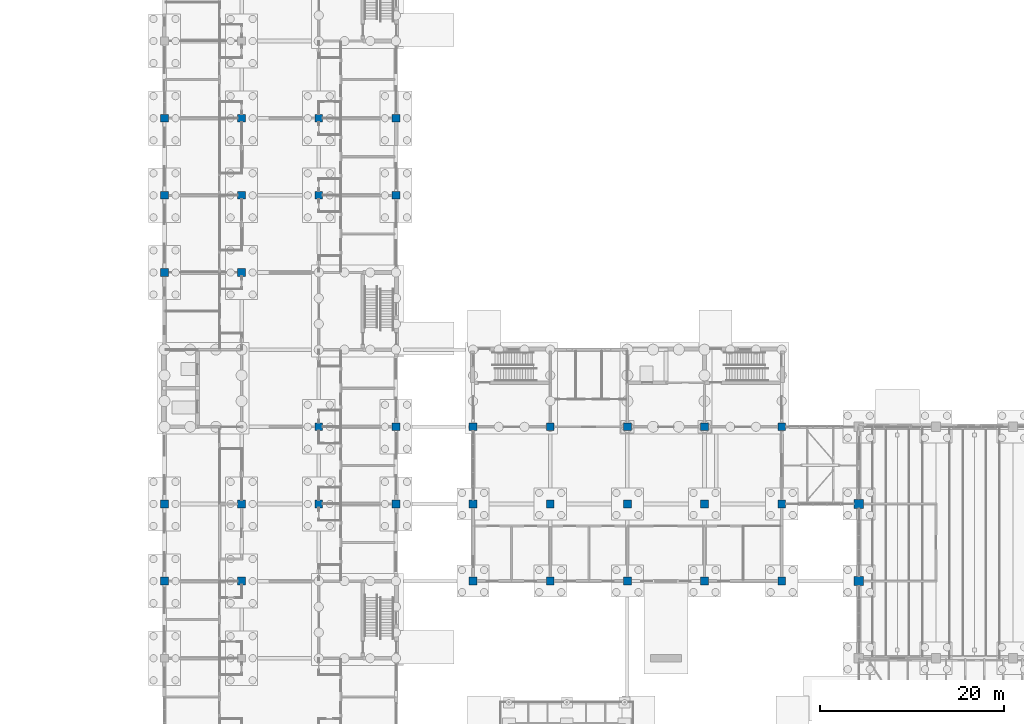
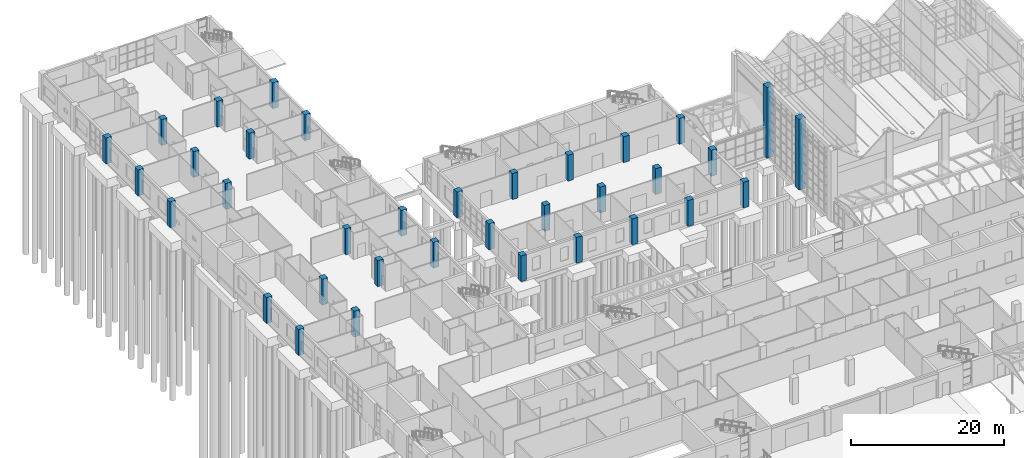
# One storey, part 15 of 138: 35 columns.
"""IFC4 building model written with IfcOpenShell, lengths in metres."""

from ifc_helpers import new_model, si_unit, direction, frame, origin, origin_2d, place, context, subcontext, project, spatial, rectangle, extrude, material, material_profile, profile_set, type_object, element, save


model = new_model("IFC4")

# Units and contexts
model_context = context("Model", 3, precision=1e-05, world=origin(), true_north=direction((0.0, 1.0)))
body_context = subcontext(model_context, "Body", "Model", "MODEL_VIEW")
ifc_project = project(units=[si_unit("LENGTHUNIT", "METRE"), si_unit("AREAUNIT", "SQUARE_METRE"), si_unit("VOLUMEUNIT", "CUBIC_METRE"), si_unit("PLANEANGLEUNIT", "RADIAN"), si_unit("MASSUNIT", "GRAM", prefix="KILO")], contexts=[model_context])

# Site, building, storey
site_placement = place(None, origin())
site = spatial("IfcSite", under=ifc_project, at=site_placement, CompositionType="ELEMENT")
building_placement = place(site_placement, origin())
building = spatial("IfcBuilding", under=site, at=building_placement, Name="Yavir Park General Hospital", CompositionType="ELEMENT")
storey_placement = place(building_placement, origin())
storey = spatial("IfcBuildingStorey", under=building, at=storey_placement, Name="L00", CompositionType="ELEMENT", Elevation=0.0)

# Columns
ifc_material_1 = material(Name="Concrete C40/50", Category="concrete")
ifc_material_profile_1 = material_profile(ifc_material_1, rectangle(XDim=1.0, YDim=1.0, at=origin_2d()), Name="RC1000x1000")
ifc_profile_set_1 = profile_set([ifc_material_profile_1], Name="Concrete C40/50")
column_type_1 = type_object("IfcColumnType", Name="RC COLUMN 1000x1000", PredefinedType="COLUMN", material=ifc_profile_set_1)
for number, where, z_axis, x_axis, name in (
    (1, (75.60009765625, 50.39990234375, 0.0), (0.0, 0.0, 1.0), (1.0, 0.0, 0.0), "C:L00:10G"),
    (2, (75.60009765625, 58.800048828125, 0.0), (0.0, 0.0, 1.0), (1.0, 0.0, 0.0), "C:L00:10H"),
):
    element("IfcColumn", number, at=place(storey_placement, frame(where, z_axis=z_axis, x_axis=x_axis)), inside=storey, type_object=column_type_1, Name=name, PredefinedType="COLUMN", context=body_context, shape_type="SweptSolid", body=[
        extrude(rectangle(XDim=1.0, YDim=1.0, at=origin_2d()), origin(), (0.0, 0.0, 1.0), 11.31201171875),
    ])
ifc_material_2 = material(Name="Concrete C40/50", Category="concrete")
ifc_material_profile_2 = material_profile(ifc_material_2, rectangle(XDim=0.85009765625, YDim=0.85009765625, at=origin_2d()), Name="RC850x850")
ifc_profile_set_2 = profile_set([ifc_material_profile_2], Name="Concrete C40/50")
column_type_2 = type_object("IfcColumnType", Name="RC COLUMN 850x850", PredefinedType="COLUMN", material=ifc_profile_set_2)
for number, where, z_axis, x_axis, name in (
    (3, (0.0, 50.39990234375, 0.0), (0.0, 0.0, 1.0), (1.0, 0.0, 0.0), "C:L00:1G"),
    (4, (8.39990234375, 50.39990234375, 0.0), (0.0, 0.0, 1.0), (1.0, 0.0, 0.0), "C:L00:2G"),
    (5, (33.60009765625, 50.39990234375, 0.0), (0.0, 0.0, 1.0), (1.0, 0.0, 0.0), "C:L00:5G"),
    (6, (42.0, 50.39990234375, 0.0), (0.0, 0.0, 1.0), (1.0, 0.0, 0.0), "C:L00:6G"),
    (7, (50.39990234375, 50.39990234375, 0.0), (0.0, 0.0, 1.0), (1.0, 0.0, 0.0), "C:L00:7G"),
    (8, (58.800048828125, 50.39990234375, 0.0), (0.0, 0.0, 1.0), (1.0, 0.0, 0.0), "C:L00:8G"),
    (9, (67.199951171875, 50.39990234375, 0.0), (0.0, 0.0, 1.0), (1.0, 0.0, 0.0), "C:L00:9G"),
    (10, (0.0, 58.800048828125, 0.0), (0.0, 0.0, 1.0), (1.0, 0.0, 0.0), "C:L00:1H"),
    (11, (8.39990234375, 58.800048828125, 0.0), (0.0, 0.0, 1.0), (1.0, 0.0, 0.0), "C:L00:2H"),
    (12, (16.800048828125, 58.800048828125, 0.0), (0.0, 0.0, 1.0), (1.0, 0.0, 0.0), "C:L00:3H"),
    (13, (25.199951171875, 58.800048828125, 0.0), (0.0, 0.0, 1.0), (1.0, 0.0, 0.0), "C:L00:4H"),
    (14, (33.60009765625, 58.800048828125, 0.0), (0.0, 0.0, 1.0), (1.0, 0.0, 0.0), "C:L00:5H"),
    (15, (42.0, 58.800048828125, 0.0), (0.0, 0.0, 1.0), (1.0, 0.0, 0.0), "C:L00:6H"),
    (16, (50.39990234375, 58.800048828125, 0.0), (0.0, 0.0, 1.0), (1.0, 0.0, 0.0), "C:L00:7H"),
    (17, (58.800048828125, 58.800048828125, 0.0), (0.0, 0.0, 1.0), (1.0, 0.0, 0.0), "C:L00:8H"),
    (18, (67.199951171875, 58.800048828125, 0.0), (0.0, 0.0, 1.0), (1.0, 0.0, 0.0), "C:L00:9H"),
    (19, (16.800048828125, 67.199951171875, 0.0), (0.0, 0.0, 1.0), (1.0, 0.0, 0.0), "C:L00:3J"),
    (20, (25.199951171875, 67.199951171875, 0.0), (0.0, 0.0, 1.0), (1.0, 0.0, 0.0), "C:L00:4J"),
    (21, (33.60009765625, 67.199951171875, 0.0), (0.0, 0.0, 1.0), (1.0, 0.0, 0.0), "C:L00:5J"),
    (22, (42.0, 67.199951171875, 0.0), (0.0, 0.0, 1.0), (1.0, 0.0, 0.0), "C:L00:6J"),
    (23, (50.39990234375, 67.199951171875, 0.0), (0.0, 0.0, 1.0), (1.0, 0.0, 0.0), "C:L00:7J"),
    (24, (58.800048828125, 67.199951171875, 0.0), (0.0, 0.0, 1.0), (1.0, 0.0, 0.0), "C:L00:8J"),
    (25, (67.199951171875, 67.199951171875, 0.0), (0.0, 0.0, 1.0), (1.0, 0.0, 0.0), "C:L00:9J"),
    (26, (0.0, 84.0, 0.0), (0.0, 0.0, 1.0), (1.0, 0.0, 0.0), "C:L00:1L"),
    (27, (8.39990234375, 84.0, 0.0), (0.0, 0.0, 1.0), (1.0, 0.0, 0.0), "C:L00:2L"),
    (28, (0.0, 92.39990234375, 0.0), (0.0, 0.0, 1.0), (1.0, 0.0, 0.0), "C:L00:1M"),
    (29, (8.39990234375, 92.39990234375, 0.0), (0.0, 0.0, 1.0), (1.0, 0.0, 0.0), "C:L00:2M"),
    (30, (16.800048828125, 92.39990234375, 0.0), (0.0, 0.0, 1.0), (1.0, 0.0, 0.0), "C:L00:3M"),
    (31, (25.199951171875, 92.39990234375, 0.0), (0.0, 0.0, 1.0), (1.0, 0.0, 0.0), "C:L00:4M"),
    (32, (0.0, 100.800048828125, 0.0), (0.0, 0.0, 1.0), (1.0, 0.0, 0.0), "C:L00:1N"),
    (33, (8.39990234375, 100.800048828125, 0.0), (0.0, 0.0, 1.0), (1.0, 0.0, 0.0), "C:L00:2N"),
    (34, (16.800048828125, 100.800048828125, 0.0), (0.0, 0.0, 1.0), (1.0, 0.0, 0.0), "C:L00:3N"),
    (35, (25.199951171875, 100.800048828125, 0.0), (0.0, 0.0, 1.0), (1.0, 0.0, 0.0), "C:L00:4N"),
):
    element("IfcColumn", number, at=place(storey_placement, frame(where, z_axis=z_axis, x_axis=x_axis)), inside=storey, type_object=column_type_2, Name=name, PredefinedType="COLUMN", context=body_context, shape_type="SweptSolid", body=[
        extrude(rectangle(XDim=0.85009765625, YDim=0.85009765625, at=origin_2d()), origin(), (0.0, 0.0, 1.0), 4.139892578125),
    ])

save(model, "model.ifc")
